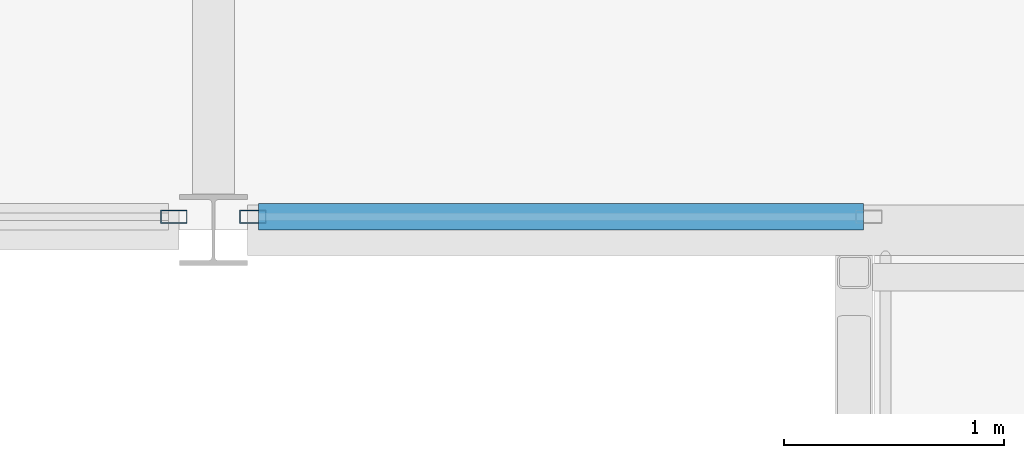
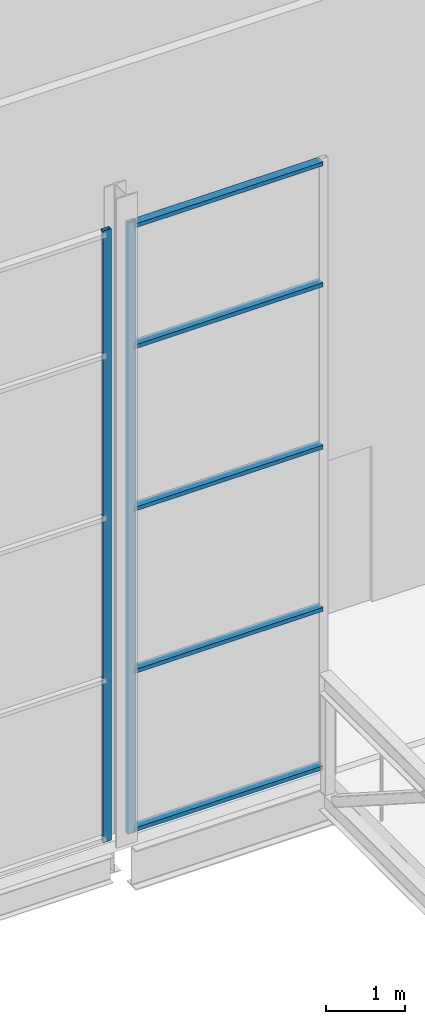
# One storey, part 46 of 111: 7 members, 2 elements without a shape of their own.
"""IFC4 building model written with IfcOpenShell, lengths in metres."""

from ifc_helpers import new_model, si_unit, direction, frame, origin, origin_2d, place, context, subcontext, project, spatial, hollow_rectangle, extrude, material, layer, layer_set, material_profile, profile_set, type_object, element, aggregate, save


model = new_model("IFC4")

# Units and contexts
model_context = context("Model", 3, precision=1e-05, world=origin(), true_north=direction((0.0, 1.0)))
body_context = subcontext(model_context, "Body", "Model", "MODEL_VIEW")
ifc_project = project(units=[si_unit("LENGTHUNIT", "METRE"), si_unit("AREAUNIT", "SQUARE_METRE"), si_unit("VOLUMEUNIT", "CUBIC_METRE"), si_unit("PLANEANGLEUNIT", "RADIAN"), si_unit("MASSUNIT", "GRAM", prefix="KILO")], contexts=[model_context])

# Site, building, storey
site_placement = place(None, origin())
site = spatial("IfcSite", under=ifc_project, at=site_placement, CompositionType="ELEMENT")
building_placement = place(site_placement, origin())
building = spatial("IfcBuilding", under=site, at=building_placement, Name="Shorebreak Coast Museum", CompositionType="ELEMENT")
storey_placement = place(building_placement, frame((0.0, 0.0, 16.0)))
storey = spatial("IfcBuildingStorey", under=building, at=storey_placement, Name="L03", CompositionType="ELEMENT", Elevation=16.0)

# Curtain wall, member
ifc_material_1 = material(Name="Aluminium", Category="aluminium")
ifc_layer = layer(ifc_material_1, 0.1201171875)
ifc_layer_set = layer_set([ifc_layer], Name="Aluminium")
curtain_wall_type = type_object("IfcCurtainWallType", Name="Atrium fire screen", PredefinedType="NOTDEFINED", material=ifc_layer_set)
curtain_wall_1_placement = place(storey_placement, origin())
curtain_wall_1 = element("IfcCurtainWall", 1, at=curtain_wall_1_placement, inside=storey, type_object=curtain_wall_type, Name="Atrium screen L03 N 40", PredefinedType="NOTDEFINED")
ifc_material_2 = material(Name="Aluminium", Category="aluminium")
ifc_material_profile_1 = material_profile(ifc_material_2, hollow_rectangle(XDim=0.06005859375, YDim=0.1201171875, WallThickness=0.00341796875, at=origin_2d()), Name="AL 120x60 RHS")
ifc_profile_set_1 = profile_set([ifc_material_profile_1], Name="Aluminium")
member_type_1 = type_object("IfcMemberType", Name="Screen mullion 50 x 120", PredefinedType="MULLION", material=ifc_profile_set_1)
member_1_placement = place(storey_placement, frame((80.820556640625, 81.06005859375, 0.0), z_axis=(0.0, 0.0, 1.0), x_axis=(0.0, 1.0, 0.0)))
member_1 = element("IfcMember", 2, at=member_1_placement, type_object=member_type_1, Name="CW5 mullion 4", PredefinedType="MULLION", context=body_context, shape_type="SweptSolid", body=[
    extrude(hollow_rectangle(XDim=0.06005859375, YDim=0.1201171875, WallThickness=0.00341796875, at=origin_2d()), origin(), (0.0, 0.0, 1.0), 9.42236328125),
])
aggregate(curtain_wall_1, [member_1])

# Curtain wall, members
curtain_wall_2_placement = place(storey_placement, origin())
curtain_wall_2 = element("IfcCurtainWall", 3, at=curtain_wall_2_placement, inside=storey, type_object=curtain_wall_type, Name="Atrium screen L03 N 41", PredefinedType="NOTDEFINED")
member_2_placement = place(storey_placement, frame((81.179443359375, 81.06005859375, 0.0), z_axis=(0.0, 0.0, 1.0), x_axis=(0.0, 1.0, 0.0)))
member_2 = element("IfcMember", 4, at=member_2_placement, type_object=member_type_1, Name="CW6 mullion 1", PredefinedType="MULLION", context=body_context, shape_type="SweptSolid", body=[
    extrude(hollow_rectangle(XDim=0.06005859375, YDim=0.1201171875, WallThickness=0.00341796875, at=origin_2d()), origin(), (0.0, 0.0, 1.0), 9.42236328125),
])
ifc_material_3 = material(Name="Aluminium", Category="aluminium")
ifc_material_profile_2 = material_profile(ifc_material_3, hollow_rectangle(XDim=0.1201171875, YDim=0.06005859375, WallThickness=0.00341796875, at=origin_2d()), Name="AL 60x120 RHS")
ifc_profile_set_2 = profile_set([ifc_material_profile_2], Name="Aluminium")
member_type_2 = type_object("IfcMemberType", Name="Screen transom 120 x 50", PredefinedType="USERDEFINED", material=ifc_profile_set_2)
member_3_placement = place(storey_placement, frame((81.20458984375, 81.06005859375, 0.06005859375), z_axis=(1.0, 0.0, 0.0), x_axis=(0.0, 1.0, 0.0)))
member_3 = element("IfcMember", 5, at=member_3_placement, type_object=member_type_2, Name="CW6 transom 1.1", ObjectType="TRANSOM", PredefinedType="USERDEFINED", context=body_context, shape_type="SweptSolid", body=[
    extrude(hollow_rectangle(XDim=0.1201171875, YDim=0.06005859375, WallThickness=0.00341796875, at=origin_2d()), origin(), (0.0, 0.0, 1.0), 2.745361328125),
])
member_4_placement = place(storey_placement, frame((81.20458984375, 81.06005859375, 2.5), z_axis=(1.0, 0.0, 0.0), x_axis=(0.0, 1.0, 0.0)))
member_4 = element("IfcMember", 6, at=member_4_placement, type_object=member_type_2, Name="CW6 transom 1.2", ObjectType="TRANSOM", PredefinedType="USERDEFINED", context=body_context, shape_type="SweptSolid", body=[
    extrude(hollow_rectangle(XDim=0.1201171875, YDim=0.06005859375, WallThickness=0.00341796875, at=origin_2d()), origin(), (0.0, 0.0, 1.0), 2.745361328125),
])
member_5_placement = place(storey_placement, frame((81.20458984375, 81.06005859375, 5.0), z_axis=(1.0, 0.0, 0.0), x_axis=(0.0, 1.0, 0.0)))
member_5 = element("IfcMember", 7, at=member_5_placement, type_object=member_type_2, Name="CW6 transom 1.3", ObjectType="TRANSOM", PredefinedType="USERDEFINED", context=body_context, shape_type="SweptSolid", body=[
    extrude(hollow_rectangle(XDim=0.1201171875, YDim=0.06005859375, WallThickness=0.00341796875, at=origin_2d()), origin(), (0.0, 0.0, 1.0), 2.745361328125),
])
member_6_placement = place(storey_placement, frame((81.20458984375, 81.06005859375, 7.5), z_axis=(1.0, 0.0, 0.0), x_axis=(0.0, 1.0, 0.0)))
member_6 = element("IfcMember", 8, at=member_6_placement, type_object=member_type_2, Name="CW6 transom 1.4", ObjectType="TRANSOM", PredefinedType="USERDEFINED", context=body_context, shape_type="SweptSolid", body=[
    extrude(hollow_rectangle(XDim=0.1201171875, YDim=0.06005859375, WallThickness=0.00341796875, at=origin_2d()), origin(), (0.0, 0.0, 1.0), 2.745361328125),
])
member_7_placement = place(storey_placement, frame((81.20458984375, 81.06005859375, 9.3623046875), z_axis=(1.0, 0.0, 0.0), x_axis=(0.0, 1.0, 0.0)))
member_7 = element("IfcMember", 9, at=member_7_placement, type_object=member_type_2, Name="CW6 transom 1.5", ObjectType="TRANSOM", PredefinedType="USERDEFINED", context=body_context, shape_type="SweptSolid", body=[
    extrude(hollow_rectangle(XDim=0.1201171875, YDim=0.06005859375, WallThickness=0.00341796875, at=origin_2d()), origin(), (0.0, 0.0, 1.0), 2.745361328125),
])
aggregate(curtain_wall_2, [member_2, member_3, member_4, member_5, member_6, member_7])

save(model, "model.ifc")
